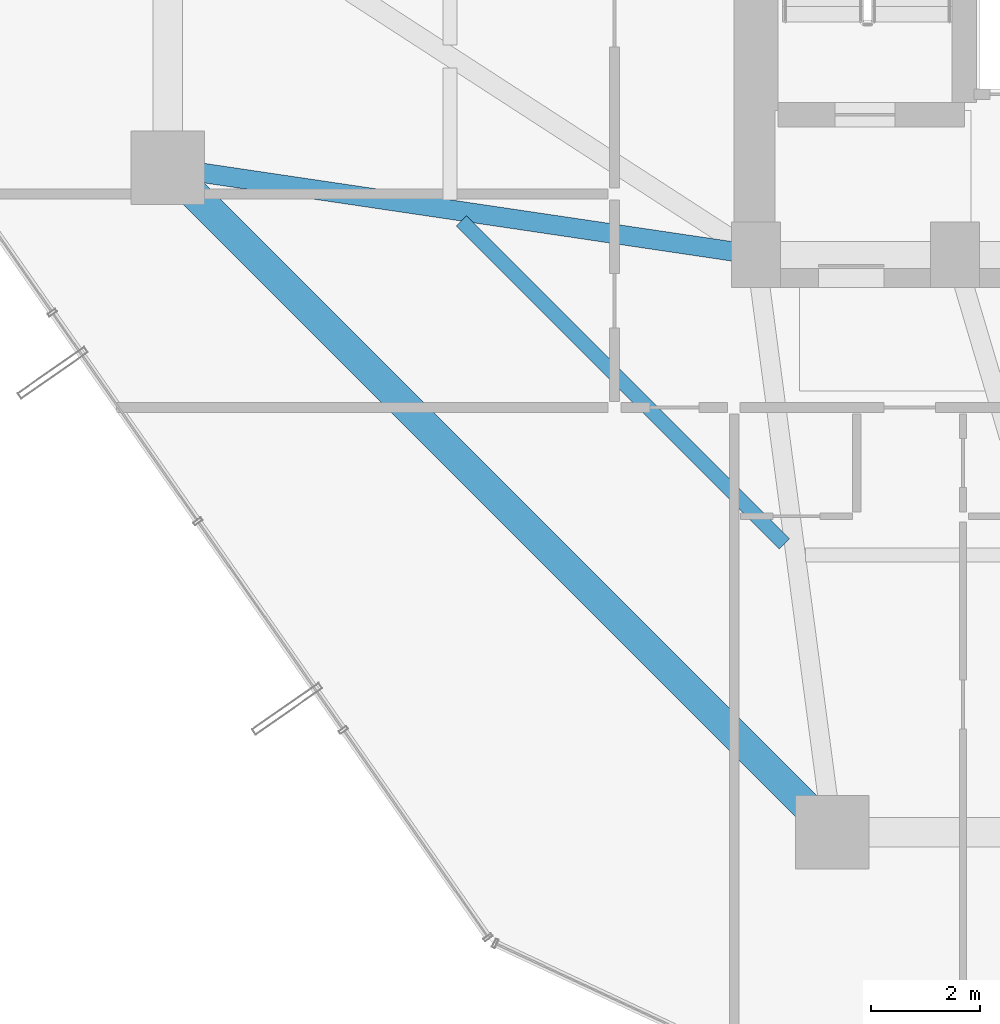
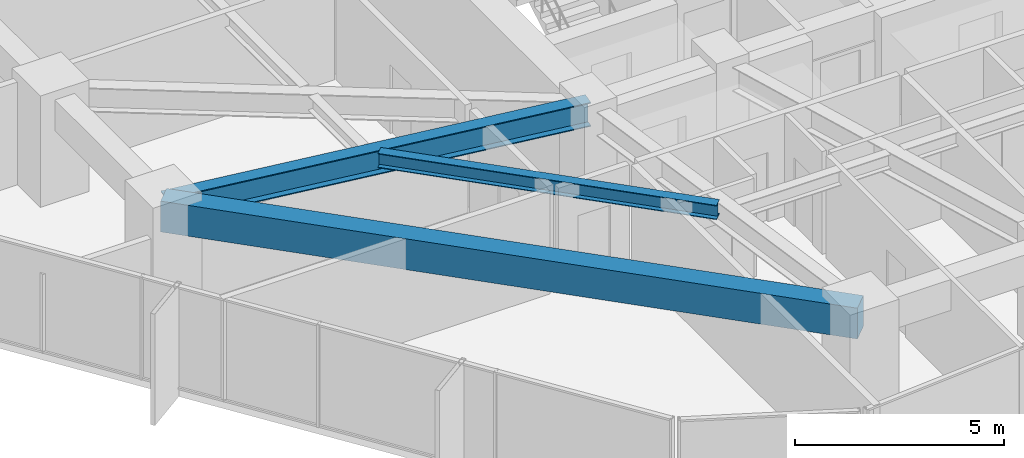
# One storey, part 5 of 37: 3 beams.
"""IFC4 building model written with IfcOpenShell, lengths in metres."""

import ifcopenshell
import ifcopenshell.guid

model = None  # the IFC model being written
_history = None  # IfcOwnerHistory: only IFC2X3 demands one
_inside = {}  # id of a spatial element -> (the spatial element, [elements in it])
_under = {}  # id of a project, library or spatial element -> (it, [spatial elements below it])
_declared = {}  # id of a project -> (the project, [libraries it declares])
_typed = {}  # id of a type object -> (the type object, [elements of that type])
_made_of = {}  # id of a material, layer set ... -> (it, [elements and type objects made of it])


def new_model(schema):
    """Start an empty IFC model of exactly this schema.

    Asked for "IFC4X3", IfcOpenShell would pick the latest addendum, in which some entities
    have other attributes; the version numbers below select the first issue.
    IFC2X3 requires an IfcOwnerHistory on every rooted entity: one is made here for all.
    """
    global model, _history
    if schema == "IFC4X3":
        model = ifcopenshell.file(schema_version=(4, 3, 0, 0))
    else:
        model = ifcopenshell.file(schema=schema)
    _inside.clear()
    _under.clear()
    _declared.clear()
    _typed.clear()
    _made_of.clear()
    _history = None
    if model.schema == "IFC2X3":
        org = make("IfcOrganization", Name="unknown")
        user = make(
            "IfcPersonAndOrganization",
            ThePerson=make("IfcPerson", FamilyName="unknown"),
            TheOrganization=org,
        )
        app = make(
            "IfcApplication",
            ApplicationDeveloper=org,
            Version="unknown",
            ApplicationFullName="unknown",
            ApplicationIdentifier="unknown",
        )
        _history = make(
            "IfcOwnerHistory",
            OwningUser=user,
            OwningApplication=app,
            ChangeAction="ADDED",
            CreationDate=0,
        )
    return model


def make(cls, **values):
    """One entity of the class cls with the attributes given. An attribute that is None is left unset."""
    return model.create_entity(
        cls, **{name: value for name, value in values.items() if value is not None}
    )


def rooted(cls, **values):
    """An entity with a GlobalId (a new one), such as an element, a storey or a relation."""
    return make(cls, GlobalId=ifcopenshell.guid.new(), OwnerHistory=_history, **values)


def si_unit(unit_type, name, prefix=None):
    """IfcSIUnit, for example si_unit("LENGTHUNIT", "METRE", prefix="MILLI")."""
    return make("IfcSIUnit", UnitType=unit_type, Prefix=prefix, Name=name)


def assignment(units):
    """IfcUnitAssignment: the units of a project."""
    return None if units is None else make("IfcUnitAssignment", Units=units)


def point(xyz):
    """IfcCartesianPoint."""
    return None if xyz is None else make("IfcCartesianPoint", Coordinates=xyz)


def direction(xyz):
    """IfcDirection."""
    return None if xyz is None else make("IfcDirection", DirectionRatios=xyz)


def frame(location, z_axis=None, x_axis=None):
    """IfcAxis2Placement3D, a coordinate frame: its origin and axes. An axis left out is left unset."""
    return make(
        "IfcAxis2Placement3D",
        Location=point(location),
        Axis=direction(z_axis),
        RefDirection=direction(x_axis),
    )


def frame_2d(location, x_axis=None):
    """IfcAxis2Placement2D, a coordinate frame in the plane: its origin and x axis."""
    return make(
        "IfcAxis2Placement2D", Location=point(location), RefDirection=direction(x_axis)
    )


def origin():
    """The frame at (0, 0, 0) with its axes left unset."""
    return frame((0.0, 0.0, 0.0))


def origin_2d():
    """The frame at (0, 0) in the plane with its x axis left unset."""
    return frame_2d((0.0, 0.0))


def place(relative_to, where):
    """IfcLocalPlacement: puts the frame where relative to a parent placement (None: the world)."""
    return make(
        "IfcLocalPlacement", PlacementRelTo=relative_to, RelativePlacement=where
    )


def context(
    kind, dimensions, precision=None, world=None, true_north=None, identifier=None
):
    """IfcGeometricRepresentationContext, for example the 3D "Model" context."""
    return make(
        "IfcGeometricRepresentationContext",
        ContextIdentifier=identifier,
        ContextType=kind,
        CoordinateSpaceDimension=dimensions,
        Precision=precision,
        WorldCoordinateSystem=world,
        TrueNorth=true_north,
    )


def subcontext(parent, identifier, kind, view, scale=None):
    """IfcGeometricRepresentationSubContext, for example "Body" below "Model"."""
    return make(
        "IfcGeometricRepresentationSubContext",
        ContextIdentifier=identifier,
        ContextType=kind,
        ParentContext=parent,
        TargetScale=scale,
        TargetView=view,
    )


def project(units=None, contexts=None):
    """IfcProject with its units and contexts."""
    return rooted(
        "IfcProject",
        Name="project",
        RepresentationContexts=contexts,
        UnitsInContext=assignment(units),
    )


def spatial(cls, under=None, at=None, **own):
    """A site, building, storey or space (cls), placed at a placement, below another one or the project."""
    s = rooted(cls, ObjectPlacement=at, **own)
    if under is not None:
        _under.setdefault(under.id(), (under, []))[1].append(s)
    return s


def profile(cls, at=None, kind="AREA", **sizes):
    """A parametric profile (cls). Its sizes go by their IFC names, for example OverallWidth=200.0."""
    return make(cls, ProfileType=kind, Position=at, **sizes)


def rectangle(**sizes):
    """IfcRectangleProfileDef."""
    return profile("IfcRectangleProfileDef", **sizes)


def i_section(**sizes):
    """IfcIShapeProfileDef."""
    return profile("IfcIShapeProfileDef", **sizes)


def extrude(swept, where, along, depth):
    """IfcExtrudedAreaSolid: the profile swept, set in the frame where, extruded along a direction by depth."""
    return make(
        "IfcExtrudedAreaSolid",
        SweptArea=swept,
        Position=where,
        ExtrudedDirection=direction(along),
        Depth=depth,
    )


def shape(context_of_items, identifier, shape_type, items):
    """IfcShapeRepresentation: the items that make up one representation, for example the "Body"."""
    return make(
        "IfcShapeRepresentation",
        ContextOfItems=context_of_items,
        RepresentationIdentifier=identifier,
        RepresentationType=shape_type,
        Items=items,
    )


def material(Name=None, Category=None):
    """IfcMaterial."""
    return make("IfcMaterial", Name=Name, Category=Category)


def material_profile(
    of_material, cross_section, Name=None, Category=None, Priority=None
):
    """IfcMaterialProfile: a cross section and its material."""
    return make(
        "IfcMaterialProfile",
        Name=Name,
        Material=of_material,
        Profile=cross_section,
        Priority=Priority,
        Category=Category,
    )


def profile_set(profiles, Name=None, composite=None):
    """IfcMaterialProfileSet."""
    return make(
        "IfcMaterialProfileSet",
        Name=Name,
        MaterialProfiles=profiles,
        CompositeProfile=composite,
    )


def made_of(thing, what):
    """Note that an element or type object is made of a material, layer set ...; save() writes the relation."""
    if what is not None:
        _made_of.setdefault(what.id(), (what, []))[1].append(thing)
    return thing


def type_object(cls, material=None, **own):
    """A type object (cls), such as IfcWallType, which elements share."""
    return made_of(rooted(cls, **own), material)


def element(
    cls,
    number,
    at=None,
    inside=None,
    cuts=None,
    type_object=None,
    material=None,
    context=None,
    identifier="Body",
    shape_type=None,
    held_by="IfcProductDefinitionShape",
    body=None,
    shapes=None,
    **own,
):
    """One element of the class cls, such as IfcWall. Its Tag is "e" and its number.

    at: its placement. inside: the storey or other place that contains it. cuts: it is an
    opening in that element (IfcRelVoidsElement). A single representation is given by context,
    identifier, shape_type and body (its items); several are given by shapes. held_by: the class
    of the entity that holds the representations. save() writes the other relations.
    """
    e = rooted(cls, Tag="e%d" % number, ObjectPlacement=at, **own)
    if body is not None:
        shapes = [shape(context, identifier, shape_type, body)]
    if shapes is not None:
        e.Representation = make(held_by, Representations=shapes)
    if inside is not None:
        _inside.setdefault(inside.id(), (inside, []))[1].append(e)
    if cuts is not None:
        rooted(
            "IfcRelVoidsElement", RelatingBuildingElement=cuts, RelatedOpeningElement=e
        )
    if type_object is not None:
        _typed.setdefault(type_object.id(), (type_object, []))[1].append(e)
    return made_of(e, material)


def aggregate(whole, parts):
    """IfcRelAggregates: a whole, such as a stair, and the parts it consists of."""
    return rooted("IfcRelAggregates", RelatingObject=whole, RelatedObjects=parts)


def save(model, path):
    """Write the relations noted so far, then the file.

    IfcRelAggregates (storeys below a building ...), IfcRelContainedInSpatialStructure (elements
    in a storey), IfcRelDefinesByType, IfcRelAssociatesMaterial and IfcRelDeclares: one each for
    every whole, place, type object, material and project.
    """
    for whole, parts in _under.values():
        aggregate(whole, parts)
    for where, things in _inside.values():
        rooted(
            "IfcRelContainedInSpatialStructure",
            RelatedElements=things,
            RelatingStructure=where,
        )
    for kind, things in _typed.values():
        rooted("IfcRelDefinesByType", RelatedObjects=things, RelatingType=kind)
    for what, things in _made_of.values():
        rooted("IfcRelAssociatesMaterial", RelatedObjects=things, RelatingMaterial=what)
    for by, libraries in _declared.values():
        rooted("IfcRelDeclares", RelatingContext=by, RelatedDefinitions=libraries)
    model.write(path)


model = new_model("IFC4")

# Units and contexts
model_context = context("Model", 3, precision=1e-05, world=origin(), true_north=direction((0.0, 1.0)))
body_context = subcontext(model_context, "Body", "Model", "MODEL_VIEW")
ifc_project = project(units=[si_unit("LENGTHUNIT", "METRE"), si_unit("AREAUNIT", "SQUARE_METRE"), si_unit("VOLUMEUNIT", "CUBIC_METRE"), si_unit("PLANEANGLEUNIT", "RADIAN"), si_unit("MASSUNIT", "GRAM", prefix="KILO")], contexts=[model_context])

# Site, building, storey
site_placement = place(None, origin())
site = spatial("IfcSite", under=ifc_project, at=site_placement, CompositionType="ELEMENT")
building_placement = place(site_placement, origin())
building = spatial("IfcBuilding", under=site, at=building_placement, Name="Veraguas Prism Commons", CompositionType="ELEMENT")
storey_placement = place(building_placement, frame((0.0, 0.0, 40.300048828125)))
storey = spatial("IfcBuildingStorey", under=building, at=storey_placement, Name="L10", CompositionType="ELEMENT", Elevation=40.300048828125)

# Beams
ifc_material_1 = material(Name="Steel ASTM A992 Grade 50", Category="steel")
ifc_material_profile_1 = material_profile(ifc_material_1, i_section(OverallWidth=0.260986328125, OverallDepth=0.419921875, WebThickness=0.01171875, FlangeThickness=0.019287109375, at=origin_2d()), Name="W410X114")
ifc_profile_set_1 = profile_set([ifc_material_profile_1], Name="Steel ASTM A992 Grade 50")
beam_type_1 = type_object("IfcBeamType", Name="Lower Floor Joist W410x114", PredefinedType="JOIST", material=ifc_profile_set_1)
beam_1_placement = place(storey_placement, frame((11.79296875, 17.623046875, 2.7900390625), z_axis=(0.707092226423, -0.70712133565, 0.0), x_axis=(0.70712133565, 0.707092226423, 0.0)))
element("IfcBeam", 1, at=beam_1_placement, inside=storey, type_object=beam_type_1, Name="Composite Floor Joist L10-JS09", PredefinedType="JOIST", context=body_context, shape_type="SweptSolid", body=[
    extrude(i_section(OverallWidth=0.260986328125, OverallDepth=0.419921875, WebThickness=0.01171875, FlangeThickness=0.019287109375, at=origin_2d()), origin(), (0.0, 0.0, 1.0), 8.386962890625),
])
ifc_material_2 = material(Name="Concrete C50/60", Category="concrete")
ifc_material_profile_2 = material_profile(ifc_material_2, rectangle(XDim=0.550048828125, YDim=0.89990234375, at=origin_2d()), Name="RC550X900")
ifc_profile_set_2 = profile_set([ifc_material_profile_2], Name="Concrete C50/60")
beam_type_2 = type_object("IfcBeamType", Name="Perimeter Spandrel Lower RC 550x900", PredefinedType="SPANDREL", material=ifc_profile_set_2)
beam_2_placement = place(storey_placement, frame((6.39990234375, 18.60009765625, 2.550048828125), z_axis=(0.707106781187, -0.707106781187, 0.0), x_axis=(0.707106781187, 0.707106781187, 0.0)))
element("IfcBeam", 2, at=beam_2_placement, inside=storey, type_object=beam_type_2, Name="Perimeter Spandrel Beam L10-SP09", PredefinedType="SPANDREL", context=body_context, shape_type="SweptSolid", body=[
    extrude(rectangle(XDim=0.550048828125, YDim=0.89990234375, at=origin_2d()), origin(), (0.0, 0.0, 1.0), 17.253662109375),
])
ifc_material_profile_3 = material_profile(ifc_material_1, i_section(OverallWidth=0.35595703125, OverallDepth=0.700927734375, WebThickness=0.016845703125, FlangeThickness=0.02734375, at=origin_2d()), Name="W690X240")
ifc_profile_set_3 = profile_set([ifc_material_profile_3], Name="Steel ASTM A992 Grade 50")
beam_type_3 = type_object("IfcBeamType", Name="Zone 1 Radial Girder W690x240", PredefinedType="BEAM", material=ifc_profile_set_3)
beam_3_placement = place(storey_placement, frame((6.39990234375, 18.60009765625, 2.6494140625), z_axis=(0.989202261707, -0.146556765224, 0.0), x_axis=(0.146556765224, 0.989202261707, 0.0)))
element("IfcBeam", 3, at=beam_3_placement, inside=storey, type_object=beam_type_3, Name="Radial Floor Girder L10-RD09", PredefinedType="BEAM", context=body_context, shape_type="SweptSolid", body=[
    extrude(i_section(OverallWidth=0.35595703125, OverallDepth=0.700927734375, WebThickness=0.016845703125, FlangeThickness=0.02734375, at=origin_2d()), origin(), (0.0, 0.0, 1.0), 10.91796875),
])

save(model, "model.ifc")
